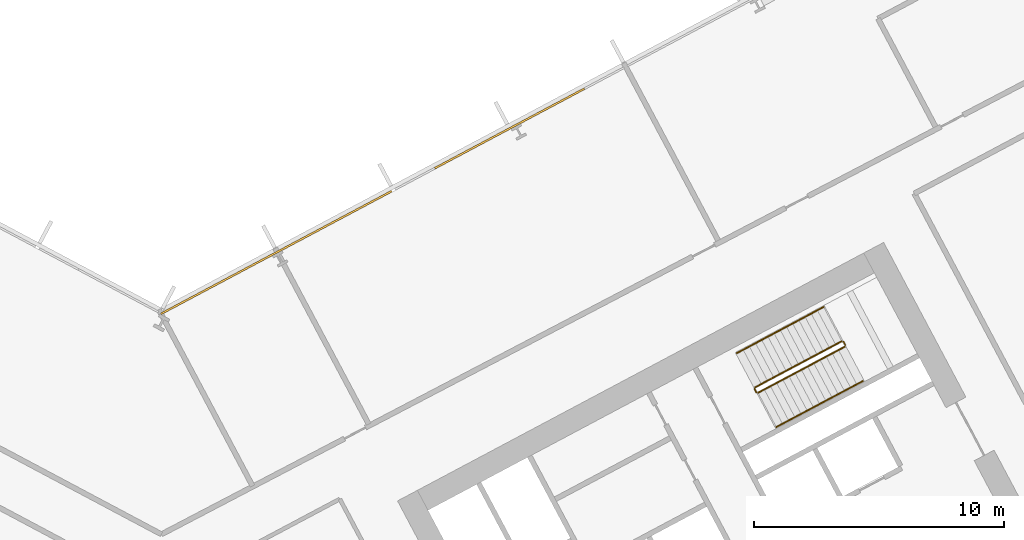
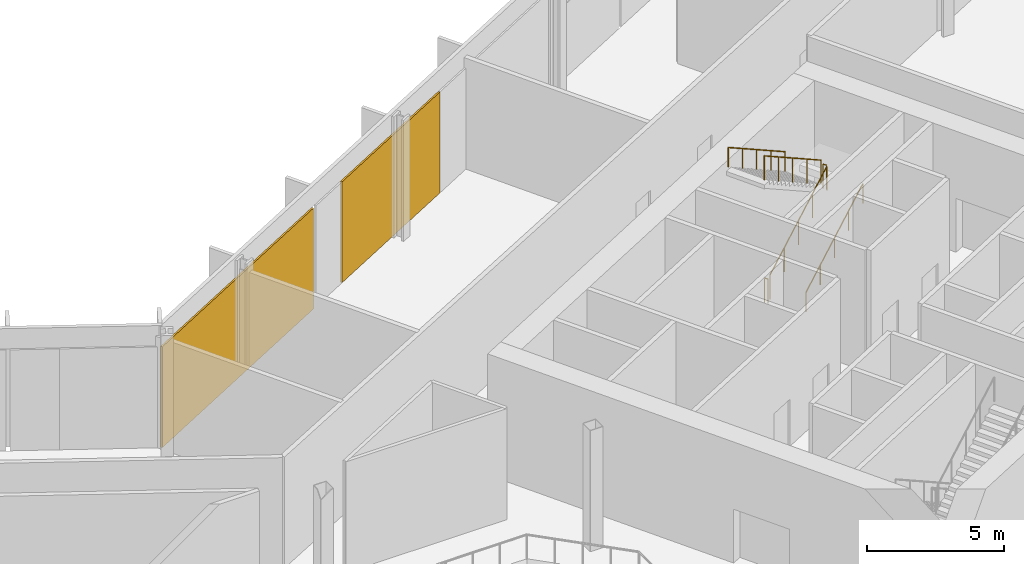
# One storey, part 29 of 31: 6 railings, 2 coverings, 1 element without a shape of its own.
"""IFC4 building model written with IfcOpenShell, lengths in metres."""

from ifc_helpers import new_model, si_unit, direction, frame, origin, origin_2d, place, context, subcontext, project, spatial, polyline, rectangle, outline, extrude, material, layer, layer_set, type_object, element, aggregate, save


model = new_model("IFC4")

# Units and contexts
model_context = context("Model", 3, precision=1e-05, world=origin(), true_north=direction((0.0, 1.0)))
body_context = subcontext(model_context, "Body", "Model", "MODEL_VIEW")
ifc_project = project(units=[si_unit("LENGTHUNIT", "METRE"), si_unit("AREAUNIT", "SQUARE_METRE"), si_unit("VOLUMEUNIT", "CUBIC_METRE"), si_unit("PLANEANGLEUNIT", "RADIAN"), si_unit("MASSUNIT", "GRAM", prefix="KILO")], contexts=[model_context])

# Site, building, storey
site_placement = place(None, origin())
site = spatial("IfcSite", under=ifc_project, at=site_placement, CompositionType="ELEMENT")
building_placement = place(site_placement, origin())
building = spatial("IfcBuilding", under=site, at=building_placement, Name="Cormorant Relay Tower", CompositionType="ELEMENT")
storey_placement = place(building_placement, frame((0.0, 0.0, 12.199951171875)))
storey = spatial("IfcBuildingStorey", under=building, at=storey_placement, Name="L02", CompositionType="ELEMENT", Elevation=12.199951171875)

# Curtain wall, coverings
ifc_material_1 = material(Name="Aluminium 6063-T6 anodised bronze", Category="aluminium")
ifc_layer_1 = layer(ifc_material_1, 0.235107421875)
ifc_layer_set_1 = layer_set([ifc_layer_1], Name="CW6 data hall curtain wall with mineral wool panels")
curtain_wall_type = type_object("IfcCurtainWallType", Name="CW6 data hall curtain wall with mineral wool panels", PredefinedType="NOTDEFINED", material=ifc_layer_set_1)
curtain_wall_placement = place(storey_placement, origin())
curtain_wall = element("IfcCurtainWall", 1, at=curtain_wall_placement, inside=storey, type_object=curtain_wall_type, Name="CW6 curtain wall 6", PredefinedType="NOTDEFINED")
ifc_material_2 = material(Name="Mineral wool cored anodised bronze aluminium cassette panel", Category="aluminium")
ifc_layer_2 = layer(ifc_material_2, 0.074951171875)
ifc_layer_set_2 = layer_set([ifc_layer_2], Name="CW6 mineral wool cassette panel 75")
covering_type = type_object("IfcCoveringType", Name="CW6 mineral wool cassette panel 75", PredefinedType="CLADDING", material=ifc_layer_set_2)
covering_1_placement = place(storey_placement, frame((13.9091796875, 31.221923828125, 0.0), z_axis=(0.0, 0.0, 1.0), x_axis=(-0.882947592859, -0.469471562786, 0.0)))
covering_1 = element("IfcCovering", 2, at=covering_1_placement, type_object=covering_type, Name="CW6 panel S07", PredefinedType="CLADDING", context=body_context, shape_type="SweptSolid", body=[
    extrude(rectangle(XDim=6.765380859375, YDim=0.074951171875, at=origin_2d()), origin(), (0.0, 0.0, 1.0), 4.5),
])
covering_2_placement = place(storey_placement, frame((4.591552734375, 26.267822265625, 0.0), z_axis=(0.0, 0.0, 1.0), x_axis=(-0.882947592859, -0.469471562786, 0.0)))
covering_2 = element("IfcCovering", 3, at=covering_2_placement, type_object=covering_type, Name="CW6 panel S09", PredefinedType="CLADDING", context=body_context, shape_type="SweptSolid", body=[
    extrude(rectangle(XDim=10.440185546875, YDim=0.074951171875, at=origin_2d()), origin(), (0.0, 0.0, 1.0), 4.5),
])
aggregate(curtain_wall, [covering_1, covering_2])

# Railings
ifc_material_3 = material(Name="Steel ASTM A572 Grade 50 (Fy 345 MPa)", Category="steel")
railing_type_1 = type_object("IfcRailingType", Name="Stair guard 1100", PredefinedType="GUARDRAIL", material=ifc_material_3)
railing_1_placement = place(storey_placement, frame((23.8408203125, 20.6611328125, 0.179931640625)))
element("IfcRailing", 4, at=railing_1_placement, inside=storey, type_object=railing_type_1, Name="L02 B2 stair guard 1", PredefinedType="GUARDRAIL", context=body_context, shape_type="SweptSolid", body=[
    extrude(outline(polyline([(0.022216796875, 0.00927734375), (0.00927734375, 0.022216796875), (-0.00927734375, 0.022216796875), (-0.022216796875, 0.00927734375), (-0.022216796875, -0.00927734375), (-0.00927734375, -0.022216796875), (0.00927734375, -0.022216796875), (0.022216796875, -0.00927734375), (0.022216796875, 0.00927734375)])), frame((0.0, 0.0, 1.076171875), z_axis=(0.74271721126, 0.394907409077, 0.540758062681), x_axis=(-0.469469396681, 0.882948744594, 0.0)), (0.0, 0.0, 1.0), 4.66015625),
    extrude(outline(polyline([(0.019287109375, 0.008056640625), (0.008056640625, 0.019287109375), (-0.008056640625, 0.019287109375), (-0.019287109375, 0.008056640625), (-0.019287109375, -0.008056640625), (-0.008056640625, -0.019287109375), (0.008056640625, -0.019287109375), (0.019287109375, -0.008056640625), (0.019287109375, 0.008056640625)])), origin(), (0.0, 0.0, 1.0), 1.052001953125),
    extrude(outline(polyline([(0.019287109375, 0.008056640625), (0.008056640625, 0.019287109375), (-0.008056640625, 0.019287109375), (-0.019287109375, 0.008056640625), (-0.019287109375, -0.008056640625), (-0.008056640625, -0.019287109375), (0.008056640625, -0.019287109375), (0.019287109375, -0.008056640625), (0.019287109375, 0.008056640625)])), frame((0.865234375, 0.4599609375, 0.6298828125)), (0.0, 0.0, 1.0), 1.052001953125),
    extrude(outline(polyline([(0.019287109375, 0.008056640625), (0.008056640625, 0.019287109375), (-0.008056640625, 0.019287109375), (-0.019287109375, 0.008056640625), (-0.019287109375, -0.008056640625), (-0.008056640625, -0.019287109375), (0.008056640625, -0.019287109375), (0.019287109375, -0.008056640625), (0.019287109375, 0.008056640625)])), frame((1.73046875, 0.920166015625, 1.260009765625)), (0.0, 0.0, 1.0), 1.052001953125),
    extrude(outline(polyline([(0.019287109375, 0.008056640625), (0.008056640625, 0.019287109375), (-0.008056640625, 0.019287109375), (-0.019287109375, 0.008056640625), (-0.019287109375, -0.008056640625), (-0.008056640625, -0.019287109375), (0.008056640625, -0.019287109375), (0.019287109375, -0.008056640625), (0.019287109375, 0.008056640625)])), frame((2.595947265625, 1.38037109375, 1.89013671875)), (0.0, 0.0, 1.0), 1.052001953125),
    extrude(outline(polyline([(0.019287109375, 0.008056640625), (0.008056640625, 0.019287109375), (-0.008056640625, 0.019287109375), (-0.019287109375, 0.008056640625), (-0.019287109375, -0.008056640625), (-0.008056640625, -0.019287109375), (0.008056640625, -0.019287109375), (0.019287109375, -0.008056640625), (0.019287109375, 0.008056640625)])), frame((3.461181640625, 1.84033203125, 2.52001953125)), (0.0, 0.0, 1.0), 1.052001953125),
])
railing_2_placement = place(storey_placement, frame((27.32275390625, 22.569091796875, 2.699951171875)))
element("IfcRailing", 5, at=railing_2_placement, inside=storey, type_object=railing_type_1, Name="L02 B2 stair guard 2", PredefinedType="GUARDRAIL", context=body_context, shape_type="SweptSolid", body=[
    extrude(outline(polyline([(0.022216796875, 0.00927734375), (0.00927734375, 0.022216796875), (-0.00927734375, 0.022216796875), (-0.022216796875, 0.00927734375), (-0.022216796875, -0.00927734375), (-0.00927734375, -0.022216796875), (0.00927734375, -0.022216796875), (0.022216796875, -0.00927734375), (0.022216796875, 0.00927734375)])), frame((0.0, 0.0, 1.076171875), z_axis=(-0.470503732759, 0.882398003998, 0.0), x_axis=(-0.882398003998, -0.470503732759, 0.0)), (0.0, 0.0, 1.0), 0.14990234375),
    extrude(outline(polyline([(0.019287109375, 0.008056640625), (0.008056640625, 0.019287109375), (-0.008056640625, 0.019287109375), (-0.019287109375, 0.008056640625), (-0.019287109375, -0.008056640625), (-0.008056640625, -0.019287109375), (0.008056640625, -0.019287109375), (0.019287109375, -0.008056640625), (0.019287109375, 0.008056640625)])), origin(), (0.0, 0.0, 1.0), 1.052001953125),
    extrude(outline(polyline([(0.019287109375, 0.008056640625), (0.008056640625, 0.019287109375), (-0.008056640625, 0.019287109375), (-0.019287109375, 0.008056640625), (-0.019287109375, -0.008056640625), (-0.008056640625, -0.019287109375), (0.008056640625, -0.019287109375), (0.019287109375, -0.008056640625), (0.019287109375, 0.008056640625)])), frame((-0.070556640625, 0.13232421875, 0.0)), (0.0, 0.0, 1.0), 1.052001953125),
])
railing_3_placement = place(storey_placement, frame((27.1845703125, 22.72216796875, 2.880126953125)))
element("IfcRailing", 6, at=railing_3_placement, inside=storey, type_object=railing_type_1, Name="L02 B2 stair guard 3", PredefinedType="GUARDRAIL", context=body_context, shape_type="SweptSolid", body=[
    extrude(outline(polyline([(0.022216796875, 0.00927734375), (0.00927734375, 0.022216796875), (-0.00927734375, 0.022216796875), (-0.022216796875, 0.00927734375), (-0.022216796875, -0.00927734375), (-0.00927734375, -0.022216796875), (0.00927734375, -0.022216796875), (0.022216796875, -0.00927734375), (0.022216796875, 0.00927734375)])), frame((0.0, 0.0, 1.076171875), z_axis=(-0.74271721126, -0.394907409077, 0.540758062681), x_axis=(0.469469396681, -0.882948744594, 0.0)), (0.0, 0.0, 1.0), 4.66015625),
    extrude(outline(polyline([(0.019287109375, 0.008056640625), (0.008056640625, 0.019287109375), (-0.008056640625, 0.019287109375), (-0.019287109375, 0.008056640625), (-0.019287109375, -0.008056640625), (-0.008056640625, -0.019287109375), (0.008056640625, -0.019287109375), (0.019287109375, -0.008056640625), (0.019287109375, 0.008056640625)])), origin(), (0.0, 0.0, 1.0), 1.052001953125),
    extrude(outline(polyline([(0.019287109375, 0.008056640625), (0.008056640625, 0.019287109375), (-0.008056640625, 0.019287109375), (-0.019287109375, 0.008056640625), (-0.019287109375, -0.008056640625), (-0.008056640625, -0.019287109375), (0.008056640625, -0.019287109375), (0.019287109375, -0.008056640625), (0.019287109375, 0.008056640625)])), frame((-0.865234375, -0.4599609375, 0.6298828125)), (0.0, 0.0, 1.0), 1.052001953125),
    extrude(outline(polyline([(0.019287109375, 0.008056640625), (0.008056640625, 0.019287109375), (-0.008056640625, 0.019287109375), (-0.019287109375, 0.008056640625), (-0.019287109375, -0.008056640625), (-0.008056640625, -0.019287109375), (0.008056640625, -0.019287109375), (0.019287109375, -0.008056640625), (0.019287109375, 0.008056640625)])), frame((-1.73046875, -0.920166015625, 1.260009765625)), (0.0, 0.0, 1.0), 1.052001953125),
    extrude(outline(polyline([(0.019287109375, 0.008056640625), (0.008056640625, 0.019287109375), (-0.008056640625, 0.019287109375), (-0.019287109375, 0.008056640625), (-0.019287109375, -0.008056640625), (-0.008056640625, -0.019287109375), (0.008056640625, -0.019287109375), (0.019287109375, -0.008056640625), (0.019287109375, 0.008056640625)])), frame((-2.595947265625, -1.38037109375, 1.89013671875)), (0.0, 0.0, 1.0), 1.052001953125),
    extrude(outline(polyline([(0.019287109375, 0.008056640625), (0.008056640625, 0.019287109375), (-0.008056640625, 0.019287109375), (-0.019287109375, 0.008056640625), (-0.019287109375, -0.008056640625), (-0.008056640625, -0.019287109375), (0.008056640625, -0.019287109375), (0.019287109375, -0.008056640625), (0.019287109375, 0.008056640625)])), frame((-3.461181640625, -1.84033203125, 2.52001953125)), (0.0, 0.0, 1.0), 1.052001953125),
])
railing_4_placement = place(storey_placement, frame((23.773193359375, 20.681640625, 0.0)))
element("IfcRailing", 7, at=railing_4_placement, inside=storey, type_object=railing_type_1, Name="L02 B2 stair guard 4", PredefinedType="GUARDRAIL", context=body_context, shape_type="SweptSolid", body=[
    extrude(outline(polyline([(0.022216796875, 0.00927734375), (0.00927734375, 0.022216796875), (-0.00927734375, 0.022216796875), (-0.022216796875, 0.00927734375), (-0.022216796875, -0.00927734375), (-0.00927734375, -0.022216796875), (0.00927734375, -0.022216796875), (0.022216796875, -0.00927734375), (0.022216796875, 0.00927734375)])), frame((0.0, 0.0, 1.076171875), z_axis=(-0.46856034887, 0.8834314911, 0.0), x_axis=(-0.8834314911, -0.46856034887, 0.0)), (0.0, 0.0, 1.0), 0.150146484375),
    extrude(outline(polyline([(0.019287109375, 0.008056640625), (0.008056640625, 0.019287109375), (-0.008056640625, 0.019287109375), (-0.019287109375, 0.008056640625), (-0.019287109375, -0.008056640625), (-0.008056640625, -0.019287109375), (0.008056640625, -0.019287109375), (0.019287109375, -0.008056640625), (0.019287109375, 0.008056640625)])), origin(), (0.0, 0.0, 1.0), 1.052001953125),
    extrude(outline(polyline([(0.019287109375, 0.008056640625), (0.008056640625, 0.019287109375), (-0.008056640625, 0.019287109375), (-0.019287109375, 0.008056640625), (-0.019287109375, -0.008056640625), (-0.008056640625, -0.019287109375), (0.008056640625, -0.019287109375), (0.019287109375, -0.008056640625), (0.019287109375, 0.008056640625)])), frame((-0.0703125, 0.132568359375, 0.0)), (0.0, 0.0, 1.0), 1.052001953125),
])
ifc_material_4 = material(Name="Steel ASTM A572 Grade 50 (Fy 345 MPa)", Category="steel")
railing_type_2 = type_object("IfcRailingType", Name="Stair handrail 900", PredefinedType="HANDRAIL", material=ifc_material_4)
railing_5_placement = place(storey_placement, frame((24.568603515625, 19.29248046875, 0.179931640625)))
element("IfcRailing", 8, at=railing_5_placement, inside=storey, type_object=railing_type_2, Name="L02 B2 stair handrail 1", PredefinedType="HANDRAIL", context=body_context, shape_type="SweptSolid", body=[
    extrude(outline(polyline([(0.022216796875, 0.00927734375), (0.00927734375, 0.022216796875), (-0.00927734375, 0.022216796875), (-0.022216796875, 0.00927734375), (-0.022216796875, -0.00927734375), (-0.00927734375, -0.022216796875), (0.00927734375, -0.022216796875), (0.022216796875, -0.00927734375), (0.022216796875, 0.00927734375)])), frame((0.0, 0.0, 0.8759765625), z_axis=(0.74271721126, 0.394907409077, 0.540758062681), x_axis=(-0.469469396681, 0.882948744594, 0.0)), (0.0, 0.0, 1.0), 4.66015625),
    extrude(outline(polyline([(0.019287109375, 0.008056640625), (0.008056640625, 0.019287109375), (-0.008056640625, 0.019287109375), (-0.019287109375, 0.008056640625), (-0.019287109375, -0.008056640625), (-0.008056640625, -0.019287109375), (0.008056640625, -0.019287109375), (0.019287109375, -0.008056640625), (0.019287109375, 0.008056640625)])), origin(), (0.0, 0.0, 1.0), 0.851806640625),
    extrude(outline(polyline([(0.019287109375, 0.008056640625), (0.008056640625, 0.019287109375), (-0.008056640625, 0.019287109375), (-0.019287109375, 0.008056640625), (-0.019287109375, -0.008056640625), (-0.008056640625, -0.019287109375), (0.008056640625, -0.019287109375), (0.019287109375, -0.008056640625), (0.019287109375, 0.008056640625)])), frame((0.865234375, 0.4599609375, 0.6298828125)), (0.0, 0.0, 1.0), 0.851806640625),
    extrude(outline(polyline([(0.019287109375, 0.008056640625), (0.008056640625, 0.019287109375), (-0.008056640625, 0.019287109375), (-0.019287109375, 0.008056640625), (-0.019287109375, -0.008056640625), (-0.008056640625, -0.019287109375), (0.008056640625, -0.019287109375), (0.019287109375, -0.008056640625), (0.019287109375, 0.008056640625)])), frame((1.73046875, 0.920166015625, 1.260009765625)), (0.0, 0.0, 1.0), 0.851806640625),
    extrude(outline(polyline([(0.019287109375, 0.008056640625), (0.008056640625, 0.019287109375), (-0.008056640625, 0.019287109375), (-0.019287109375, 0.008056640625), (-0.019287109375, -0.008056640625), (-0.008056640625, -0.019287109375), (0.008056640625, -0.019287109375), (0.019287109375, -0.008056640625), (0.019287109375, 0.008056640625)])), frame((2.595947265625, 1.38037109375, 1.89013671875)), (0.0, 0.0, 1.0), 0.851806640625),
    extrude(outline(polyline([(0.019287109375, 0.008056640625), (0.008056640625, 0.019287109375), (-0.008056640625, 0.019287109375), (-0.019287109375, 0.008056640625), (-0.019287109375, -0.008056640625), (-0.008056640625, -0.019287109375), (0.008056640625, -0.019287109375), (0.019287109375, -0.008056640625), (0.019287109375, 0.008056640625)])), frame((3.461181640625, 1.84033203125, 2.52001953125)), (0.0, 0.0, 1.0), 0.851806640625),
])
railing_6_placement = place(storey_placement, frame((26.45703125, 24.090576171875, 2.880126953125)))
element("IfcRailing", 9, at=railing_6_placement, inside=storey, type_object=railing_type_2, Name="L02 B2 stair handrail 2", PredefinedType="HANDRAIL", context=body_context, shape_type="SweptSolid", body=[
    extrude(outline(polyline([(0.022216796875, 0.00927734375), (0.00927734375, 0.022216796875), (-0.00927734375, 0.022216796875), (-0.022216796875, 0.00927734375), (-0.022216796875, -0.00927734375), (-0.00927734375, -0.022216796875), (0.00927734375, -0.022216796875), (0.022216796875, -0.00927734375), (0.022216796875, 0.00927734375)])), frame((0.0, 0.0, 0.8759765625), z_axis=(-0.74271721126, -0.394907409077, 0.540758062681), x_axis=(0.469469396681, -0.882948744594, 0.0)), (0.0, 0.0, 1.0), 4.66015625),
    extrude(outline(polyline([(0.019287109375, 0.008056640625), (0.008056640625, 0.019287109375), (-0.008056640625, 0.019287109375), (-0.019287109375, 0.008056640625), (-0.019287109375, -0.008056640625), (-0.008056640625, -0.019287109375), (0.008056640625, -0.019287109375), (0.019287109375, -0.008056640625), (0.019287109375, 0.008056640625)])), origin(), (0.0, 0.0, 1.0), 0.851806640625),
    extrude(outline(polyline([(0.019287109375, 0.008056640625), (0.008056640625, 0.019287109375), (-0.008056640625, 0.019287109375), (-0.019287109375, 0.008056640625), (-0.019287109375, -0.008056640625), (-0.008056640625, -0.019287109375), (0.008056640625, -0.019287109375), (0.019287109375, -0.008056640625), (0.019287109375, 0.008056640625)])), frame((-0.865234375, -0.4599609375, 0.6298828125)), (0.0, 0.0, 1.0), 0.851806640625),
    extrude(outline(polyline([(0.019287109375, 0.008056640625), (0.008056640625, 0.019287109375), (-0.008056640625, 0.019287109375), (-0.019287109375, 0.008056640625), (-0.019287109375, -0.008056640625), (-0.008056640625, -0.019287109375), (0.008056640625, -0.019287109375), (0.019287109375, -0.008056640625), (0.019287109375, 0.008056640625)])), frame((-1.73046875, -0.920166015625, 1.260009765625)), (0.0, 0.0, 1.0), 0.851806640625),
    extrude(outline(polyline([(0.019287109375, 0.008056640625), (0.008056640625, 0.019287109375), (-0.008056640625, 0.019287109375), (-0.019287109375, 0.008056640625), (-0.019287109375, -0.008056640625), (-0.008056640625, -0.019287109375), (0.008056640625, -0.019287109375), (0.019287109375, -0.008056640625), (0.019287109375, 0.008056640625)])), frame((-2.595947265625, -1.38037109375, 1.89013671875)), (0.0, 0.0, 1.0), 0.851806640625),
    extrude(outline(polyline([(0.019287109375, 0.008056640625), (0.008056640625, 0.019287109375), (-0.008056640625, 0.019287109375), (-0.019287109375, 0.008056640625), (-0.019287109375, -0.008056640625), (-0.008056640625, -0.019287109375), (0.008056640625, -0.019287109375), (0.019287109375, -0.008056640625), (0.019287109375, 0.008056640625)])), frame((-3.461181640625, -1.84033203125, 2.52001953125)), (0.0, 0.0, 1.0), 0.851806640625),
])

save(model, "model.ifc")
